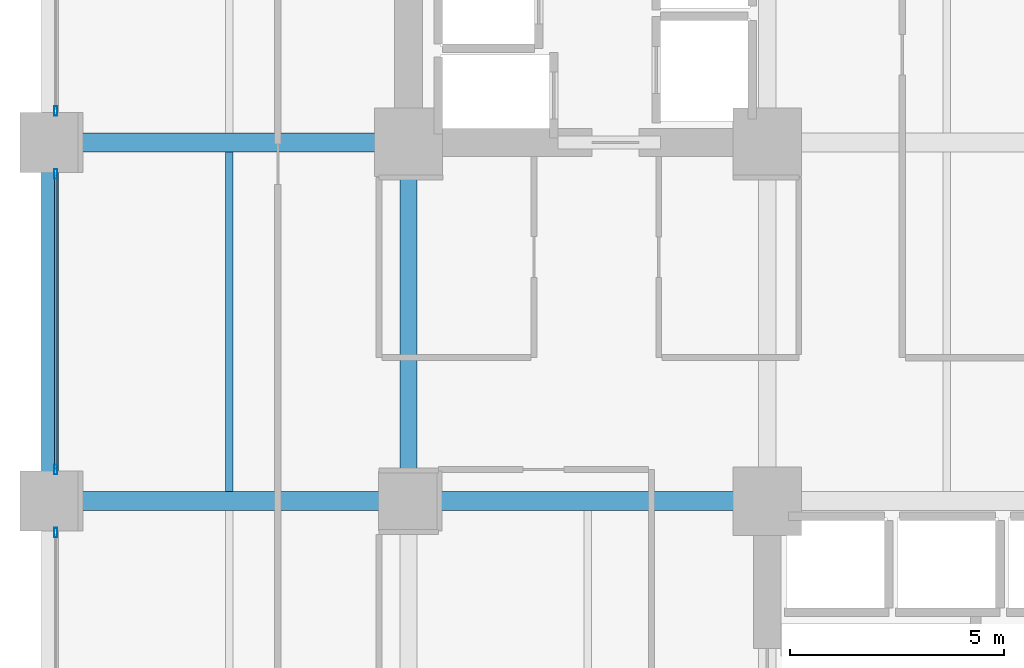
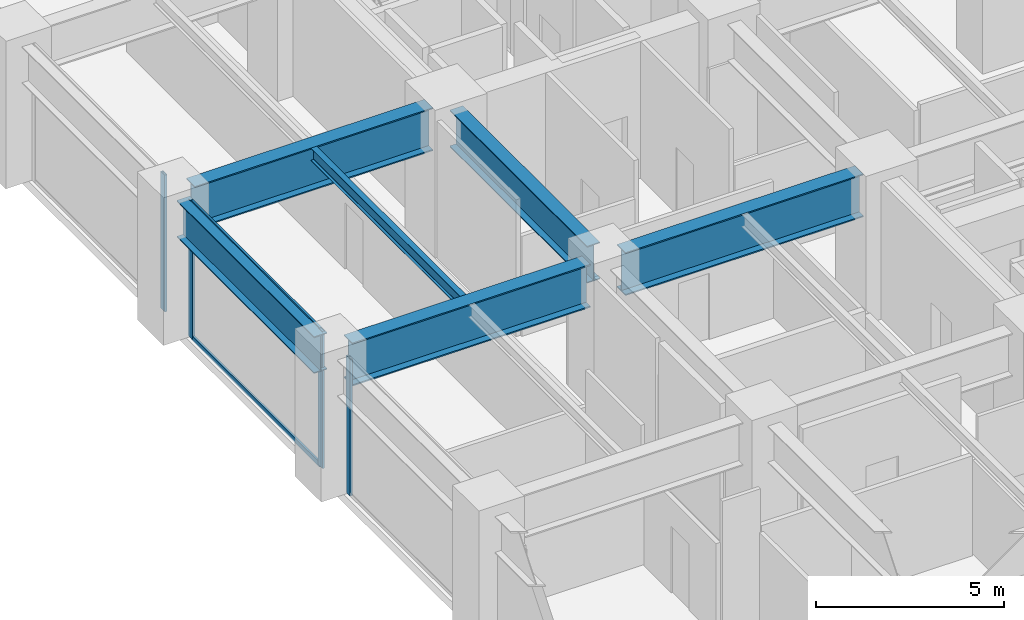
# One storey, part 4 of 24: 6 beams, 6 members, 3 elements without a shape of their own.
"""IFC4 building model written with IfcOpenShell, lengths in metres."""

from ifc_helpers import new_model, si_unit, direction, frame, origin, origin_2d, place, context, subcontext, project, spatial, hollow_rectangle, i_section, extrude, material, layer, layer_set, material_profile, profile_set, type_object, element, aggregate, save


model = new_model("IFC4")

# Units and contexts
model_context = context("Model", 3, precision=1e-05, world=origin(), true_north=direction((0.0, 1.0)))
body_context = subcontext(model_context, "Body", "Model", "MODEL_VIEW")
ifc_project = project(units=[si_unit("LENGTHUNIT", "METRE"), si_unit("AREAUNIT", "SQUARE_METRE"), si_unit("VOLUMEUNIT", "CUBIC_METRE"), si_unit("PLANEANGLEUNIT", "RADIAN"), si_unit("MASSUNIT", "GRAM", prefix="KILO")], contexts=[model_context])

# Site, building, storey
site_placement = place(None, origin())
site = spatial("IfcSite", under=ifc_project, at=site_placement, CompositionType="ELEMENT")
building_placement = place(site_placement, origin())
building = spatial("IfcBuilding", under=site, at=building_placement, Name="Nerrivon Quay Data Exchange", CompositionType="ELEMENT")
storey_placement = place(building_placement, frame((0.0, 0.0, 15.0)))
storey = spatial("IfcBuildingStorey", under=building, at=storey_placement, Name="L03", CompositionType="ELEMENT", Elevation=15.0)

# Beams
ifc_material_1 = material(Name="Steel Grade 350", Category="steel")
ifc_material_profile_1 = material_profile(ifc_material_1, i_section(OverallWidth=0.177978515625, OverallDepth=0.406005859375, WebThickness=0.0078125, FlangeThickness=0.0126953125, FilletRadius=0.011474609375, at=origin_2d()), Name="410UB59.7")
ifc_profile_set_1 = profile_set([ifc_material_profile_1], Name="Steel Grade 350")
beam_type_1 = type_object("IfcBeamType", Name="BM-J1-410UB60", PredefinedType="JOIST", material=ifc_profile_set_1)
beam_placement = place(storey_placement, frame((4.199951171875, 17.02490234375, 4.2470703125), z_axis=(0.0, 1.0, 0.0), x_axis=(-1.0, 0.0, 0.0)))
element("IfcBeam", 1, at=beam_placement, inside=storey, type_object=beam_type_1, Name="L03 Secondary Joist X=4.2 (16.8..25.2)", PredefinedType="JOIST", context=body_context, shape_type="SweptSolid", body=[
    extrude(i_section(OverallWidth=0.177978515625, OverallDepth=0.406005859375, WebThickness=0.0078125, FlangeThickness=0.0126953125, FilletRadius=0.011474609375, at=origin_2d()), origin(), (0.0, 0.0, 1.0), 7.9501953125),
])
ifc_material_profile_2 = material_profile(ifc_material_1, i_section(OverallWidth=0.449951171875, OverallDepth=1.39990234375, WebThickness=0.02001953125, FlangeThickness=0.0400390625, at=origin_2d()), Name="1400WG455")
ifc_profile_set_2 = profile_set([ifc_material_profile_2], Name="Steel Grade 350")
beam_type_2 = type_object("IfcBeamType", Name="BM-TG1-1400WG", PredefinedType="USERDEFINED", material=ifc_profile_set_2)
for number, where, z_axis, x_axis, name in (
    (2, (0.5400390625, 16.800048828125, 3.75), (1.0, 0.0, 0.0), (0.0, 1.0, 0.0), "L03 EW Girder Y=16.8 (0.0..8.4)"),
    (3, (8.93994140625, 16.800048828125, 3.75), (1.0, 0.0, 0.0), (0.0, 1.0, 0.0), "L03 EW Girder Y=16.8 (8.4..16.8)"),
    (4, (0.5400390625, 25.199951171875, 3.75), (1.0, 0.0, 0.0), (0.0, 1.0, 0.0), "L03 EW Girder Y=25.2 (0.0..8.4)"),
):
    element("IfcBeam", number, at=place(storey_placement, frame(where, z_axis=z_axis, x_axis=x_axis)), inside=storey, type_object=beam_type_2, Name=name, ObjectType="TRANSFER", PredefinedType="USERDEFINED", context=body_context, shape_type="SweptSolid", body=[
        extrude(i_section(OverallWidth=0.449951171875, OverallDepth=1.39990234375, WebThickness=0.02001953125, FlangeThickness=0.0400390625, at=origin_2d()), origin(), (0.0, 0.0, 1.0), 7.320068359375),
    ])
ifc_material_profile_3 = material_profile(ifc_material_1, i_section(OverallWidth=0.39990234375, OverallDepth=1.199951171875, WebThickness=0.01611328125, FlangeThickness=0.031982421875, at=origin_2d()), Name="1200WB342")
ifc_profile_set_3 = profile_set([ifc_material_profile_3], Name="Steel Grade 350")
beam_type_3 = type_object("IfcBeamType", Name="BM-TG2-1200WB", PredefinedType="USERDEFINED", material=ifc_profile_set_3)
for number, where, z_axis, x_axis, name in (
    (5, (0.0, 17.340087890625, 3.85009765625), (0.0, 1.0, 0.0), (-1.0, 0.0, 0.0), "L03 NS Girder X=0.0 (16.8..25.2)"),
    (6, (8.39990234375, 17.340087890625, 3.85009765625), (0.0, 1.0, 0.0), (-1.0, 0.0, 0.0), "L03 NS Girder X=8.4 (16.8..25.2)"),
):
    element("IfcBeam", number, at=place(storey_placement, frame(where, z_axis=z_axis, x_axis=x_axis)), inside=storey, type_object=beam_type_3, Name=name, ObjectType="TRANSFER", PredefinedType="USERDEFINED", context=body_context, shape_type="SweptSolid", body=[
        extrude(i_section(OverallWidth=0.39990234375, OverallDepth=1.199951171875, WebThickness=0.01611328125, FlangeThickness=0.031982421875, at=origin_2d()), origin(), (0.0, 0.0, 1.0), 7.31982421875),
    ])

# Curtain wall, member
ifc_material_2 = material(Name="Anodised aluminium 6063-T6", Category="aluminium")
ifc_layer = layer(ifc_material_2, 0.239990234375)
ifc_layer_set = layer_set([ifc_layer], Name="Anodised aluminium 6063-T6")
curtain_wall_type = type_object("IfcCurtainWallType", Name="CW-SYS-03", PredefinedType="NOTDEFINED", material=ifc_layer_set)
curtain_wall_1_placement = place(storey_placement, origin())
curtain_wall_1 = element("IfcCurtainWall", 7, at=curtain_wall_1_placement, inside=storey, type_object=curtain_wall_type, Name="L03 Unitised Curtain Wall 2", PredefinedType="NOTDEFINED")
ifc_material_profile_4 = material_profile(ifc_material_2, hollow_rectangle(XDim=0.074951171875, YDim=0.219970703125, WallThickness=0.00390625, at=origin_2d()), Name="ALU-MULL-220x75")
ifc_profile_set_4 = profile_set([ifc_material_profile_4], Name="Anodised aluminium 6063-T6")
member_type_1 = type_object("IfcMemberType", Name="CWM-220x75", PredefinedType="MULLION", material=ifc_profile_set_4)
member_1_placement = place(storey_placement, frame((0.139892578125, 16.0625, 0.0), z_axis=(0.0, 0.0, 1.0), x_axis=(-1.0, 0.0, 0.0)))
member_1 = element("IfcMember", 8, at=member_1_placement, type_object=member_type_1, Name="CW03 mullion 2", PredefinedType="MULLION", context=body_context, shape_type="SweptSolid", body=[
    extrude(hollow_rectangle(XDim=0.074951171875, YDim=0.219970703125, WallThickness=0.00390625, at=origin_2d()), origin(), (0.0, 0.0, 1.0), 4.449951171875),
])
aggregate(curtain_wall_1, [member_1])

# Curtain wall, members
curtain_wall_2_placement = place(storey_placement, origin())
curtain_wall_2 = element("IfcCurtainWall", 9, at=curtain_wall_2_placement, inside=storey, type_object=curtain_wall_type, Name="L03 Unitised Curtain Wall 3", PredefinedType="NOTDEFINED")
member_2_placement = place(storey_placement, frame((0.139892578125, 17.53759765625, 0.0), z_axis=(0.0, 0.0, 1.0), x_axis=(-1.0, 0.0, 0.0)))
member_2 = element("IfcMember", 10, at=member_2_placement, type_object=member_type_1, Name="CW03 mullion 1", PredefinedType="MULLION", context=body_context, shape_type="SweptSolid", body=[
    extrude(hollow_rectangle(XDim=0.074951171875, YDim=0.219970703125, WallThickness=0.00390625, at=origin_2d()), origin(), (0.0, 0.0, 1.0), 4.449951171875),
])
member_3_placement = place(storey_placement, frame((0.139892578125, 24.46240234375, 0.0), z_axis=(0.0, 0.0, 1.0), x_axis=(-1.0, 0.0, 0.0)))
member_3 = element("IfcMember", 11, at=member_3_placement, type_object=member_type_1, Name="CW03 mullion 2", PredefinedType="MULLION", context=body_context, shape_type="SweptSolid", body=[
    extrude(hollow_rectangle(XDim=0.074951171875, YDim=0.219970703125, WallThickness=0.00390625, at=origin_2d()), origin(), (0.0, 0.0, 1.0), 4.449951171875),
])

# Curtain wall, member
curtain_wall_3_placement = place(storey_placement, origin())
curtain_wall_3 = element("IfcCurtainWall", 12, at=curtain_wall_3_placement, inside=storey, type_object=curtain_wall_type, Name="L03 Unitised Curtain Wall 4", PredefinedType="NOTDEFINED")
member_4_placement = place(storey_placement, frame((0.139892578125, 25.9375, 0.0), z_axis=(0.0, 0.0, 1.0), x_axis=(-1.0, 0.0, 0.0)))
member_4 = element("IfcMember", 13, at=member_4_placement, type_object=member_type_1, Name="CW03 mullion 1", PredefinedType="MULLION", context=body_context, shape_type="SweptSolid", body=[
    extrude(hollow_rectangle(XDim=0.074951171875, YDim=0.219970703125, WallThickness=0.00390625, at=origin_2d()), origin(), (0.0, 0.0, 1.0), 4.449951171875),
])
aggregate(curtain_wall_3, [member_4])

# Member
ifc_material_profile_5 = material_profile(ifc_material_2, hollow_rectangle(XDim=0.06494140625, YDim=0.14990234375, WallThickness=0.00341796875, at=origin_2d()), Name="ALU-TRAN-150x65")
ifc_profile_set_5 = profile_set([ifc_material_profile_5], Name="Anodised aluminium 6063-T6")
member_type_2 = type_object("IfcMemberType", Name="CWT-150x65", PredefinedType="USERDEFINED", material=ifc_profile_set_5)
member_5_placement = place(storey_placement, frame((0.139892578125, 17.574951171875, 0.032470703125), z_axis=(0.0, 1.0, 0.0), x_axis=(-1.0, 0.0, 0.0)))
member_5 = element("IfcMember", 14, at=member_5_placement, type_object=member_type_2, Name="CW03 transom 1.1", ObjectType="TRANSOM", PredefinedType="USERDEFINED", context=body_context, shape_type="SweptSolid", body=[
    extrude(hollow_rectangle(XDim=0.06494140625, YDim=0.14990234375, WallThickness=0.00341796875, at=origin_2d()), origin(), (0.0, 0.0, 1.0), 6.85009765625),
])

member_6_placement = place(storey_placement, frame((0.139892578125, 17.574951171875, 4.41748046875), z_axis=(0.0, 1.0, 0.0), x_axis=(-1.0, 0.0, 0.0)))
member_6 = element("IfcMember", 15, at=member_6_placement, type_object=member_type_2, Name="CW03 transom 1.2", ObjectType="TRANSOM", PredefinedType="USERDEFINED", context=body_context, shape_type="SweptSolid", body=[
    extrude(hollow_rectangle(XDim=0.06494140625, YDim=0.14990234375, WallThickness=0.00341796875, at=origin_2d()), origin(), (0.0, 0.0, 1.0), 6.85009765625),
])

aggregate(curtain_wall_2, [member_2, member_3, member_5, member_6])

save(model, "model.ifc")
